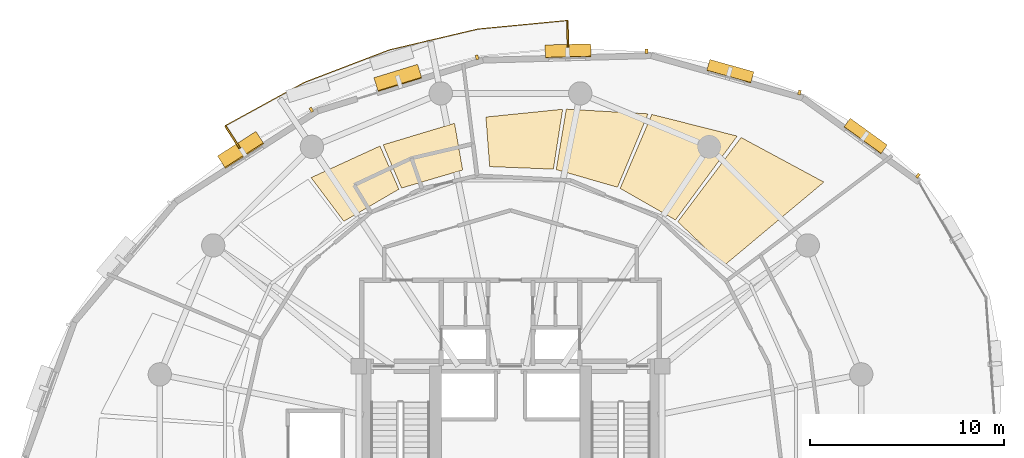
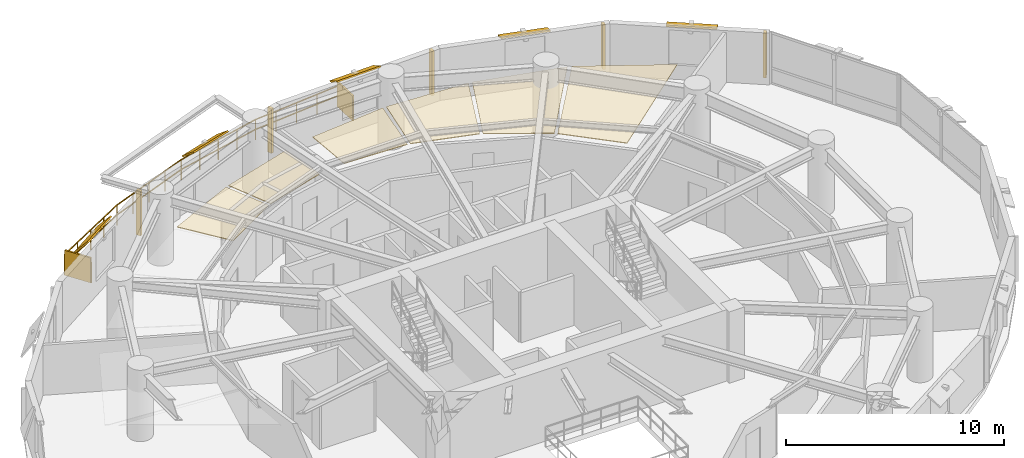
# One storey, part 15 of 15: 12 shading devices, 6 coverings, 1 railing.
"""IFC4 building model written with IfcOpenShell, lengths in metres."""

from ifc_helpers import new_model, si_unit, direction, frame, origin, origin_2d, place, context, subcontext, project, spatial, polyline, rectangle, outline, extrude, material, layer, layer_set, type_object, element, save


model = new_model("IFC4")

# Units and contexts
model_context = context("Model", 3, precision=1e-05, world=origin(), true_north=direction((0.0, 1.0)))
body_context = subcontext(model_context, "Body", "Model", "MODEL_VIEW")
ifc_project = project(units=[si_unit("LENGTHUNIT", "METRE"), si_unit("AREAUNIT", "SQUARE_METRE"), si_unit("VOLUMEUNIT", "CUBIC_METRE"), si_unit("PLANEANGLEUNIT", "RADIAN"), si_unit("MASSUNIT", "GRAM", prefix="KILO"), si_unit("THERMODYNAMICTEMPERATUREUNIT", "KELVIN"), si_unit("POWERUNIT", "WATT")], contexts=[model_context])

# Site, building, storey
site_placement = place(None, origin())
site = spatial("IfcSite", under=ifc_project, at=site_placement, CompositionType="ELEMENT")
building_placement = place(site_placement, origin())
building = spatial("IfcBuilding", under=site, at=building_placement, Name="Ocrelia Relay Tower", CompositionType="ELEMENT")
storey_placement = place(building_placement, frame((0.0, 0.0, 105.800048828125)))
storey = spatial("IfcBuildingStorey", under=building, at=storey_placement, Name="L24", CompositionType="ELEMENT", Elevation=105.800048828125)

# Coverings
ifc_material_1 = material(Name="Mineral-fiber acoustic ceiling tile", Category="gypsum")
ifc_layer_1 = layer(ifc_material_1, 0.0400390625, Name="Mineral-fiber acoustic ceiling tile")
ifc_layer_set_1 = layer_set([ifc_layer_1], Name="Mineral-fiber acoustic ceiling tile")
covering_type = type_object("IfcCoveringType", Name="COV-CEIL-ACOUSTIC", PredefinedType="CEILING", material=ifc_layer_set_1)
covering_1_placement = place(storey_placement, frame((0.0, 0.0, 2.719970703125)))
element("IfcCovering", 1, at=covering_1_placement, inside=storey, type_object=covering_type, Name="L24 Network Engineering Office A Suspended Ceiling 1", PredefinedType="CEILING", context=body_context, shape_type="SweptSolid", body=[
    extrude(outline(polyline([(31.5380859375, 40.106689453125), (31.118896484375, 42.5078125), (27.446044921875, 41.402587890625), (28.393310546875, 39.1767578125), (31.5380859375, 40.106689453125)])), origin(), (0.0, 0.0, 1.0), 0.0400390625),
])
covering_2_placement = place(storey_placement, frame((0.0, 0.0, 2.719970703125)))
element("IfcCovering", 2, at=covering_2_placement, inside=storey, type_object=covering_type, Name="L24 Network Engineering Office A Suspended Ceiling 2", PredefinedType="CEILING", context=body_context, shape_type="SweptSolid", body=[
    extrude(outline(polyline([(28.255615234375, 39.1171875), (27.28173828125, 41.3408203125), (23.739990234375, 39.71484375), (25.422119140625, 37.466552734375), (28.255615234375, 39.1171875)])), origin(), (0.0, 0.0, 1.0), 0.0400390625),
])
covering_3_placement = place(storey_placement, frame((0.0, 0.0, 2.719970703125)))
element("IfcCovering", 3, at=covering_3_placement, inside=storey, type_object=covering_type, Name="L24 Shift Staff Lounge Suspended Ceiling 1", PredefinedType="CEILING", context=body_context, shape_type="SweptSolid", body=[
    extrude(outline(polyline([(44.98583984375, 35.185546875), (50.12744140625, 39.484619140625), (45.867919921875, 41.777587890625), (42.60791015625, 37.444091796875), (44.98583984375, 35.185546875)])), origin(), (0.0, 0.0, 1.0), 0.0400390625),
])
covering_4_placement = place(storey_placement, frame((0.0, 0.0, 2.719970703125)))
element("IfcCovering", 4, at=covering_4_placement, inside=storey, type_object=covering_type, Name="L24 Shift Staff Lounge Suspended Ceiling 2", PredefinedType="CEILING", context=body_context, shape_type="SweptSolid", body=[
    extrude(outline(polyline([(42.48779296875, 37.533447265625), (45.66650390625, 41.85302734375), (41.272216796875, 42.96728515625), (39.64111328125, 39.162109375), (42.48779296875, 37.533447265625)])), origin(), (0.0, 0.0, 1.0), 0.0400390625),
])
covering_5_placement = place(storey_placement, frame((0.0, 0.0, 2.719970703125)))
element("IfcCovering", 5, at=covering_5_placement, inside=storey, type_object=covering_type, Name="L24 Shift Staff Lounge Suspended Ceiling 3", PredefinedType="CEILING", context=body_context, shape_type="SweptSolid", body=[
    extrude(outline(polyline([(39.503173828125, 39.220458984375), (41.07470703125, 42.99609375), (36.869140625, 43.23779296875), (36.351318359375, 40.125732421875), (39.503173828125, 39.220458984375)])), origin(), (0.0, 0.0, 1.0), 0.0400390625),
])
covering_6_placement = place(storey_placement, frame((0.0, 0.0, 2.719970703125)))
element("IfcCovering", 6, at=covering_6_placement, inside=storey, type_object=covering_type, Name="L24 Shift Staff Lounge Suspended Ceiling 4", PredefinedType="CEILING", context=body_context, shape_type="SweptSolid", body=[
    extrude(outline(polyline([(36.203125, 40.1494140625), (36.68310546875, 43.23291015625), (32.734375, 42.833251953125), (32.92626953125, 40.27978515625), (36.203125, 40.1494140625)])), origin(), (0.0, 0.0, 1.0), 0.0400390625),
])

# Railing
ifc_material_2 = material(Name="Steel S355 balustrade", Category="steel")
railing_type = type_object("IfcRailingType", Name="RL-EXT-GUARD-1150", PredefinedType="GUARDRAIL", material=ifc_material_2)
railing_placement = place(storey_placement, frame((20.078857421875, 41.214111328125, 0.0)))
element("IfcRailing", 7, at=railing_placement, inside=storey, type_object=railing_type, Name="L24 Loggia Balcony Guard Rail B1", PredefinedType="GUARDRAIL", context=body_context, shape_type="SweptSolid", body=[
    extrude(rectangle(XDim=0.048095703125, YDim=0.048095703125, at=origin_2d()), frame((0.0, 0.0, 1.1259765625), z_axis=(-0.541040928806, 0.840996262392, 0.0), x_axis=(-0.840996262392, -0.541040928806, 0.0)), (0.0, 0.0, 1.0), 1.3935546875),
    extrude(rectangle(XDim=0.048095703125, YDim=0.048095703125, at=origin_2d()), frame((0.0, 0.0, 0.574951171875), z_axis=(-0.541040928806, 0.840996262392, 0.0), x_axis=(-0.840996262392, -0.541040928806, 0.0)), (0.0, 0.0, 1.0), 1.3935546875),
    extrude(rectangle(XDim=0.048095703125, YDim=0.048095703125, at=origin_2d()), frame((-0.75390625, 1.171875, 1.1259765625), z_axis=(0.876967218868, 0.480550202404, 0.0), x_axis=(-0.480550202404, 0.876967218868, 0.0)), (0.0, 0.0, 1.0), 2.315673828125),
    extrude(rectangle(XDim=0.048095703125, YDim=0.048095703125, at=origin_2d()), frame((-0.75390625, 1.171875, 0.574951171875), z_axis=(0.876967218868, 0.480550202404, 0.0), x_axis=(-0.480550202404, 0.876967218868, 0.0)), (0.0, 0.0, 1.0), 2.315673828125),
    extrude(rectangle(XDim=0.048095703125, YDim=0.048095703125, at=origin_2d()), frame((1.27685546875, 2.28466796875, 1.1259765625), z_axis=(0.876991562296, 0.480505774846, 0.0), x_axis=(-0.480505774846, 0.876991562296, 0.0)), (0.0, 0.0, 1.0), 2.31591796875),
    extrude(rectangle(XDim=0.048095703125, YDim=0.048095703125, at=origin_2d()), frame((1.27685546875, 2.28466796875, 0.574951171875), z_axis=(0.876991562296, 0.480505774846, 0.0), x_axis=(-0.480505774846, 0.876991562296, 0.0)), (0.0, 0.0, 1.0), 2.31591796875),
    extrude(rectangle(XDim=0.048095703125, YDim=0.048095703125, at=origin_2d()), frame((3.307861328125, 3.3974609375, 1.1259765625), z_axis=(0.933953059863, 0.357395693836, 0.0), x_axis=(-0.357395693836, 0.933953059863, 0.0)), (0.0, 0.0, 1.0), 4.68212890625),
    extrude(rectangle(XDim=0.048095703125, YDim=0.048095703125, at=origin_2d()), frame((3.307861328125, 3.3974609375, 0.574951171875), z_axis=(0.933953059863, 0.357395693836, 0.0), x_axis=(-0.357395693836, 0.933953059863, 0.0)), (0.0, 0.0, 1.0), 4.68212890625),
    extrude(rectangle(XDim=0.048095703125, YDim=0.048095703125, at=origin_2d()), frame((7.6806640625, 5.07080078125, 1.1259765625), z_axis=(0.973338470259, 0.229373543187, 0.0), x_axis=(-0.229373543187, 0.973338470259, 0.0)), (0.0, 0.0, 1.0), 4.68212890625),
    extrude(rectangle(XDim=0.048095703125, YDim=0.048095703125, at=origin_2d()), frame((7.6806640625, 5.07080078125, 0.574951171875), z_axis=(0.973338470259, 0.229373543187, 0.0), x_axis=(-0.229373543187, 0.973338470259, 0.0)), (0.0, 0.0, 1.0), 4.68212890625),
    extrude(rectangle(XDim=0.048095703125, YDim=0.048095703125, at=origin_2d()), frame((12.238037109375, 6.144775390625, 1.1259765625), z_axis=(0.995437957456, 0.095411073025, 0.0), x_axis=(-0.095411073025, 0.995437957456, 0.0)), (0.0, 0.0, 1.0), 2.315673828125),
    extrude(rectangle(XDim=0.048095703125, YDim=0.048095703125, at=origin_2d()), frame((12.238037109375, 6.144775390625, 0.574951171875), z_axis=(0.995437957456, 0.095411073025, 0.0), x_axis=(-0.095411073025, 0.995437957456, 0.0)), (0.0, 0.0, 1.0), 2.315673828125),
    extrude(rectangle(XDim=0.048095703125, YDim=0.048095703125, at=origin_2d()), frame((14.543212890625, 6.36572265625, 1.1259765625), z_axis=(0.995427939099, 0.095515538321, 0.0), x_axis=(-0.095515538321, 0.995427939099, 0.0)), (0.0, 0.0, 1.0), 2.315673828125),
    extrude(rectangle(XDim=0.048095703125, YDim=0.048095703125, at=origin_2d()), frame((14.543212890625, 6.36572265625, 0.574951171875), z_axis=(0.995427939099, 0.095515538321, 0.0), x_axis=(-0.095515538321, 0.995427939099, 0.0)), (0.0, 0.0, 1.0), 2.315673828125),
    extrude(rectangle(XDim=0.048095703125, YDim=0.048095703125, at=origin_2d()), frame((16.848388671875, 6.5869140625, 1.1259765625), z_axis=(0.025232979854, -0.999681597674, 0.0), x_axis=(0.999681597674, 0.025232979854, 0.0)), (0.0, 0.0, 1.0), 1.393310546875),
    extrude(rectangle(XDim=0.048095703125, YDim=0.048095703125, at=origin_2d()), frame((16.848388671875, 6.5869140625, 0.574951171875), z_axis=(0.025232979854, -0.999681597674, 0.0), x_axis=(0.999681597674, 0.025232979854, 0.0)), (0.0, 0.0, 1.0), 1.393310546875),
    extrude(rectangle(XDim=0.0419921875, YDim=0.0419921875, at=origin_2d()), origin(), (0.0, 0.0, 1.0), 1.101806640625),
    extrude(rectangle(XDim=0.0419921875, YDim=0.0419921875, at=origin_2d()), frame((-0.376953125, 0.5859375, 0.0)), (0.0, 0.0, 1.0), 1.101806640625),
    extrude(rectangle(XDim=0.0419921875, YDim=0.0419921875, at=origin_2d()), frame((-0.75390625, 1.171875, 0.0)), (0.0, 0.0, 1.0), 1.101806640625),
    extrude(rectangle(XDim=0.0419921875, YDim=0.0419921875, at=origin_2d()), frame((0.261474609375, 1.728271484375, 0.0)), (0.0, 0.0, 1.0), 1.101806640625),
    extrude(rectangle(XDim=0.0419921875, YDim=0.0419921875, at=origin_2d()), frame((1.27685546875, 2.28466796875, 0.0)), (0.0, 0.0, 1.0), 1.101806640625),
    extrude(rectangle(XDim=0.0419921875, YDim=0.0419921875, at=origin_2d()), frame((2.29248046875, 2.841064453125, 0.0)), (0.0, 0.0, 1.0), 1.101806640625),
    extrude(rectangle(XDim=0.0419921875, YDim=0.0419921875, at=origin_2d()), frame((3.307861328125, 3.3974609375, 0.0)), (0.0, 0.0, 1.0), 1.101806640625),
    extrude(rectangle(XDim=0.0419921875, YDim=0.0419921875, at=origin_2d()), frame((4.401123046875, 3.81591796875, 0.0)), (0.0, 0.0, 1.0), 1.101806640625),
    extrude(rectangle(XDim=0.0419921875, YDim=0.0419921875, at=origin_2d()), frame((5.494140625, 4.234130859375, 0.0)), (0.0, 0.0, 1.0), 1.101806640625),
    extrude(rectangle(XDim=0.0419921875, YDim=0.0419921875, at=origin_2d()), frame((6.58740234375, 4.65234375, 0.0)), (0.0, 0.0, 1.0), 1.101806640625),
    extrude(rectangle(XDim=0.0419921875, YDim=0.0419921875, at=origin_2d()), frame((7.6806640625, 5.07080078125, 0.0)), (0.0, 0.0, 1.0), 1.101806640625),
    extrude(rectangle(XDim=0.0419921875, YDim=0.0419921875, at=origin_2d()), frame((8.820068359375, 5.33935546875, 0.0)), (0.0, 0.0, 1.0), 1.101806640625),
    extrude(rectangle(XDim=0.0419921875, YDim=0.0419921875, at=origin_2d()), frame((9.95947265625, 5.60791015625, 0.0)), (0.0, 0.0, 1.0), 1.101806640625),
    extrude(rectangle(XDim=0.0419921875, YDim=0.0419921875, at=origin_2d()), frame((11.0986328125, 5.876220703125, 0.0)), (0.0, 0.0, 1.0), 1.101806640625),
    extrude(rectangle(XDim=0.0419921875, YDim=0.0419921875, at=origin_2d()), frame((12.238037109375, 6.144775390625, 0.0)), (0.0, 0.0, 1.0), 1.101806640625),
    extrude(rectangle(XDim=0.0419921875, YDim=0.0419921875, at=origin_2d()), frame((13.390625, 6.25537109375, 0.0)), (0.0, 0.0, 1.0), 1.101806640625),
    extrude(rectangle(XDim=0.0419921875, YDim=0.0419921875, at=origin_2d()), frame((14.543212890625, 6.36572265625, 0.0)), (0.0, 0.0, 1.0), 1.101806640625),
    extrude(rectangle(XDim=0.0419921875, YDim=0.0419921875, at=origin_2d()), frame((15.69580078125, 6.476318359375, 0.0)), (0.0, 0.0, 1.0), 1.101806640625),
    extrude(rectangle(XDim=0.0419921875, YDim=0.0419921875, at=origin_2d()), frame((16.848388671875, 6.5869140625, 0.0)), (0.0, 0.0, 1.0), 1.101806640625),
    extrude(rectangle(XDim=0.0419921875, YDim=0.0419921875, at=origin_2d()), frame((16.865966796875, 5.890625, 0.0)), (0.0, 0.0, 1.0), 1.101806640625),
    extrude(rectangle(XDim=0.0419921875, YDim=0.0419921875, at=origin_2d()), frame((16.883544921875, 5.194091796875, 0.0)), (0.0, 0.0, 1.0), 1.101806640625),
])

# Shading devices
ifc_material_3 = material(Name="Perforated oxide terracotta solar screen", Category="masonry")
ifc_layer_2 = layer(ifc_material_3, 0.090087890625, Name="Perforated oxide terracotta solar screen")
ifc_layer_set_2 = layer_set([ifc_layer_2], Name="Perforated oxide terracotta solar screen")
shading_device_type_1 = type_object("IfcShadingDeviceType", Name="SH-BALC-SCREEN", PredefinedType="USERDEFINED", material=ifc_layer_set_2)
for number, where, z_axis, x_axis, name in (
    (8, (36.944580078125, 47.1044921875, 0.0), (0.0, 0.0, 1.0), (-0.025189420418, 0.999682696209, 0.0), "L24 Balcony Perforated Terracotta Screen B1-1"),
    (9, (19.701904296875, 41.800048828125, 0.0), (0.0, 0.0, 1.0), (-0.541029593042, 0.841003554958, 0.0), "L24 Balcony Perforated Terracotta Screen B1-2"),
):
    element("IfcShadingDevice", number, at=place(storey_placement, frame(where, z_axis=z_axis, x_axis=x_axis)), inside=storey, type_object=shading_device_type_1, Name=name, ObjectType="SCREEN", PredefinedType="USERDEFINED", context=body_context, shape_type="SweptSolid", body=[
        extrude(rectangle(XDim=1.340087890625, YDim=0.090087890625, at=origin_2d()), origin(), (0.0, 0.0, 1.0), 1.39990234375),
    ])
ifc_material_4 = material(Name="Extruded oxide terracotta vertical baguette", Category="masonry")
shading_device_type_2 = type_object("IfcShadingDeviceType", Name="SH-TERR-BAGUETTE", PredefinedType="USERDEFINED", material=ifc_material_4)
for number, where, z_axis, x_axis, name in (
    (10, (54.9619140625, 39.8076171875, 0.199951171875), (0.0, 0.0, 1.0), (-0.810245074507, 0.586091220918, 0.0), "L24 Oxide Terracotta Vertical Baguette 02"),
    (11, (48.8701171875, 44.093994140625, 0.199951171875), (0.0, 0.0, 1.0), (-0.963077349031, 0.269224849863, 0.0), "L24 Oxide Terracotta Vertical Baguette 03"),
    (12, (40.9970703125, 46.2109375, 0.199951171875), (0.0, 0.0, 1.0), (-0.999644318449, -0.026669019343, 0.0), "L24 Oxide Terracotta Vertical Baguette 04"),
    (13, (32.276123046875, 45.905517578125, 0.199951171875), (0.0, 0.0, 1.0), (-0.955790924358, -0.294047120229, 0.0), "L24 Oxide Terracotta Vertical Baguette 05"),
    (14, (23.749267578125, 43.205810546875, 0.199951171875), (0.0, 0.0, 1.0), (-0.84178147354, -0.539818442446, 0.0), "L24 Oxide Terracotta Vertical Baguette 06"),
):
    element("IfcShadingDevice", number, at=place(storey_placement, frame(where, z_axis=z_axis, x_axis=x_axis)), inside=storey, type_object=shading_device_type_2, Name=name, ObjectType="BAGUETTE", PredefinedType="USERDEFINED", context=body_context, shape_type="SweptSolid", body=[
        extrude(rectangle(XDim=0.139892578125, YDim=0.239990234375, at=origin_2d()), origin(), (0.0, 0.0, 1.0), 2.5),
    ])
ifc_material_5 = material(Name="Extruded oxide terracotta fin", Category="masonry")
ifc_layer_3 = layer(ifc_material_5, 0.080078125, Name="Extruded oxide terracotta fin")
ifc_layer_set_3 = layer_set([ifc_layer_3], Name="Extruded oxide terracotta fin")
shading_device_type_3 = type_object("IfcShadingDeviceType", Name="SH-VISOR-FIN-MED", PredefinedType="USERDEFINED", material=ifc_layer_set_3)
shading_device_1_placement = place(storey_placement, frame((28.2109375, 44.8173828125, 2.708740234375), z_axis=(-0.18385080254, 0.597601256447, 0.780430407338), x_axis=(-0.955790924358, -0.294047120229, 0.0)))
element("IfcShadingDevice", 15, at=shading_device_1_placement, inside=storey, type_object=shading_device_type_3, Name="L24 Canted Terracotta Sun-Visor Fin 05", ObjectType="FIN", PredefinedType="USERDEFINED", context=body_context, shape_type="SweptSolid", body=[
    extrude(rectangle(XDim=2.35009765625, YDim=0.89501953125, at=origin_2d()), origin(), (0.0, 0.0, 1.0), 0.080078125),
])
shading_device_2_placement = place(storey_placement, frame((20.130859375, 41.114013671875, 2.7138671875), z_axis=(-0.408824524064, 0.637512324934, 0.653024152754), x_axis=(-0.84178147354, -0.539818442446, 0.0)))
element("IfcShadingDevice", 16, at=shading_device_2_placement, inside=storey, type_object=shading_device_type_3, Name="L24 Canted Terracotta Sun-Visor Fin 06", ObjectType="FIN", PredefinedType="USERDEFINED", context=body_context, shape_type="SweptSolid", body=[
    extrude(rectangle(XDim=2.35009765625, YDim=1.070068359375, at=origin_2d()), origin(), (0.0, 0.0, 1.0), 0.080078125),
])
ifc_layer_4 = layer(ifc_material_5, 0.080078125, Name="Extruded oxide terracotta fin")
ifc_layer_set_4 = layer_set([ifc_layer_4], Name="Extruded oxide terracotta fin")
shading_device_type_4 = type_object("IfcShadingDeviceType", Name="SH-VISOR-FIN-SHAL", PredefinedType="USERDEFINED", material=ifc_layer_set_4)
shading_device_3_placement = place(storey_placement, frame((52.26318359375, 41.84228515625, 2.7021484375), z_axis=(0.190038697873, 0.262720056915, 0.945972232682), x_axis=(-0.810245074507, 0.586091220918, 0.0)))
element("IfcShadingDevice", 17, at=shading_device_3_placement, inside=storey, type_object=shading_device_type_4, Name="L24 Canted Terracotta Sun-Visor Fin 02", ObjectType="FIN", PredefinedType="USERDEFINED", context=body_context, shape_type="SweptSolid", body=[
    extrude(rectangle(XDim=2.35009765625, YDim=0.56494140625, at=origin_2d()), origin(), (0.0, 0.0, 1.0), 0.080078125),
])
shading_device_4_placement = place(storey_placement, frame((45.306396484375, 45.17041015625, 2.702880859375), z_axis=(0.101811133631, 0.364201137928, 0.92573863709), x_axis=(-0.963077349031, 0.269224849863, 0.0)))
element("IfcShadingDevice", 18, at=shading_device_4_placement, inside=storey, type_object=shading_device_type_4, Name="L24 Canted Terracotta Sun-Visor Fin 03", ObjectType="FIN", PredefinedType="USERDEFINED", context=body_context, shape_type="SweptSolid", body=[
    extrude(rectangle(XDim=2.35009765625, YDim=0.6201171875, at=origin_2d()), origin(), (0.0, 0.0, 1.0), 0.080078125),
])
shading_device_5_placement = place(storey_placement, frame((36.96142578125, 46.213134765625, 2.704833984375), z_axis=(-0.012851976734, 0.481735205841, 0.876222584819), x_axis=(-0.999644318449, -0.026669019343, 0.0)))
element("IfcShadingDevice", 19, at=shading_device_5_placement, inside=storey, type_object=shading_device_type_4, Name="L24 Canted Terracotta Sun-Visor Fin 04", ObjectType="FIN", PredefinedType="USERDEFINED", context=body_context, shape_type="SweptSolid", body=[
    extrude(rectangle(XDim=2.35009765625, YDim=0.72998046875, at=origin_2d()), origin(), (0.0, 0.0, 1.0), 0.080078125),
])

save(model, "model.ifc")
